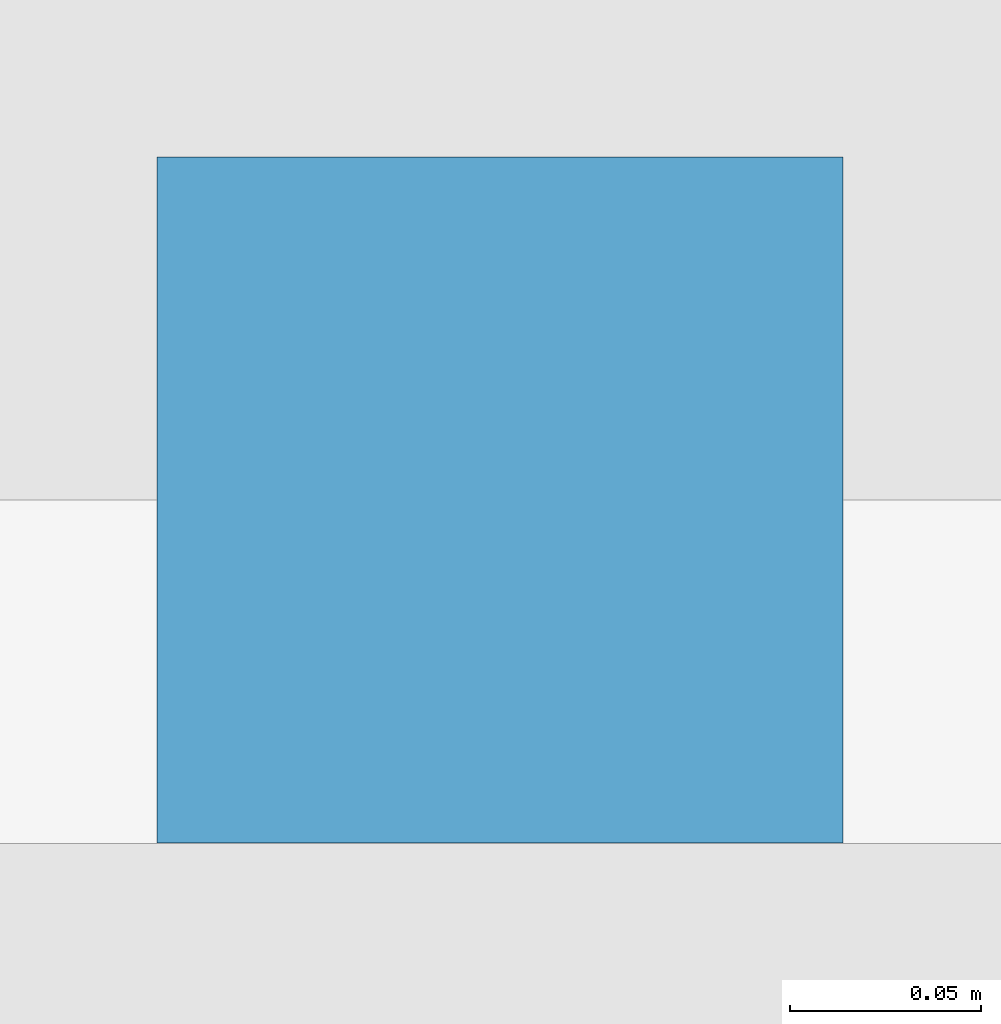
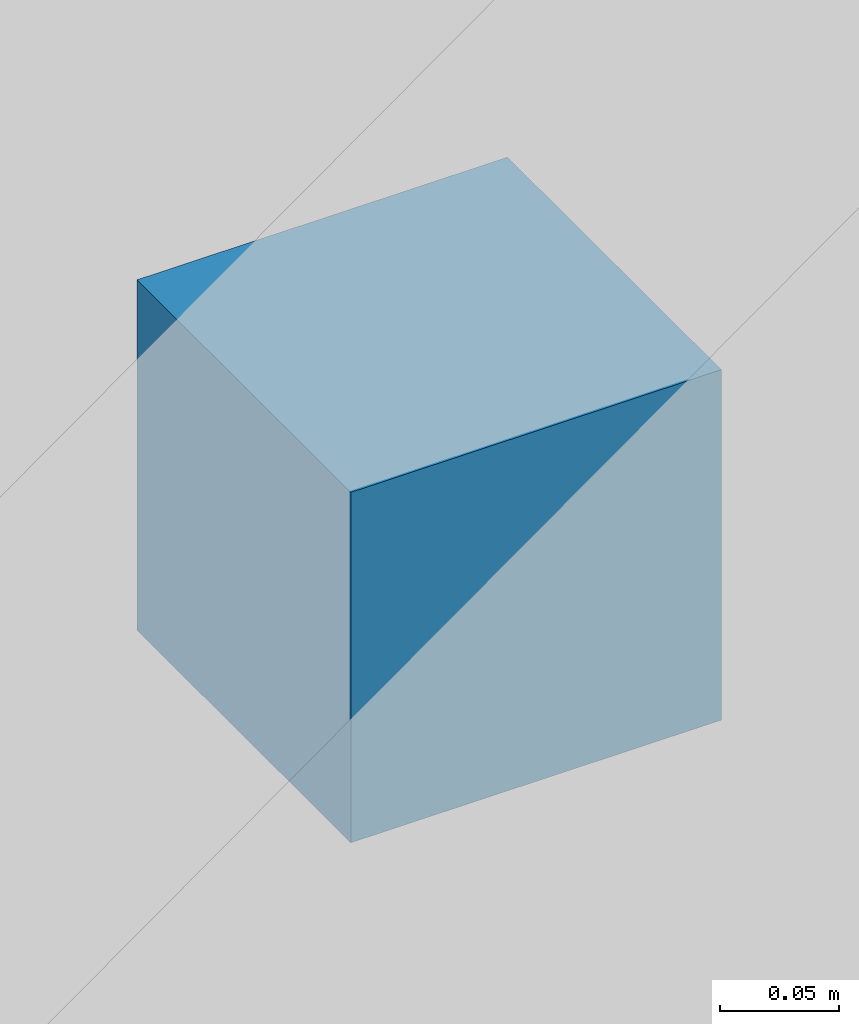
# One storey, part 267 of 285: 1 discrete accessory.
"""IFC4 building model written with IfcOpenShell, lengths in metres."""

from ifc_helpers import new_model, si_unit, direction, frame, origin, origin_2d, place, context, subcontext, project, spatial, rectangle, extrude, material, type_object, element, save


model = new_model("IFC4")

# Units and contexts
model_context = context("Model", 3, precision=1e-05, world=origin(), true_north=direction((0.0, 1.0)))
body_context = subcontext(model_context, "Body", "Model", "MODEL_VIEW")
ifc_project = project(units=[si_unit("LENGTHUNIT", "METRE"), si_unit("AREAUNIT", "SQUARE_METRE"), si_unit("VOLUMEUNIT", "CUBIC_METRE"), si_unit("PLANEANGLEUNIT", "RADIAN"), si_unit("MASSUNIT", "GRAM", prefix="KILO")], contexts=[model_context])

# Site, building, storey
site_placement = place(None, origin())
site = spatial("IfcSite", under=ifc_project, at=site_placement, CompositionType="ELEMENT")
building_placement = place(site_placement, origin())
building = spatial("IfcBuilding", under=site, at=building_placement, Name="Solanera Park Tramway Depot", CompositionType="ELEMENT")
storey_placement = place(building_placement, origin())
storey = spatial("IfcBuildingStorey", under=building, at=storey_placement, Name="L00", CompositionType="ELEMENT", Elevation=0.0)

# Discrete accessory
ifc_material = material(Name="Steel AS/NZS 3679.1 Grade 350", Category="steel")
discrete_accessory_type = type_object("IfcDiscreteAccessoryType", Name="Facade Sunshade Fixing Bracket 180x180", PredefinedType="BRACKET", material=ifc_material)
discrete_accessory_placement = place(storey_placement, frame((168.550048828125, 10.550048828125, 1.68017578125), z_axis=(0.0, 0.0, 1.0), x_axis=(1.0, 0.0, 0.0)))
element("IfcDiscreteAccessory", 1, at=discrete_accessory_placement, inside=storey, type_object=discrete_accessory_type, Name="Jalousie Bracket #020", PredefinedType="BRACKET", context=body_context, shape_type="SweptSolid", body=[
    extrude(rectangle(XDim=0.179931640625, YDim=0.179931640625, at=origin_2d()), origin(), (0.0, 0.0, 1.0), 0.179931640625),
])

save(model, "model.ifc")
